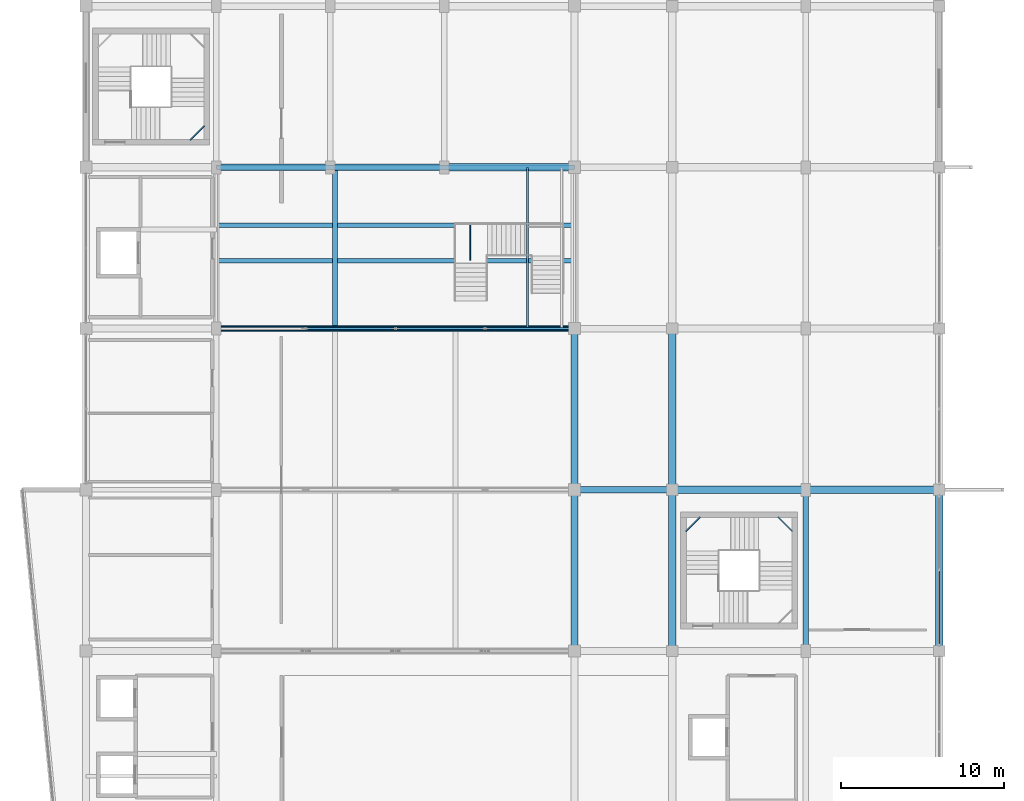
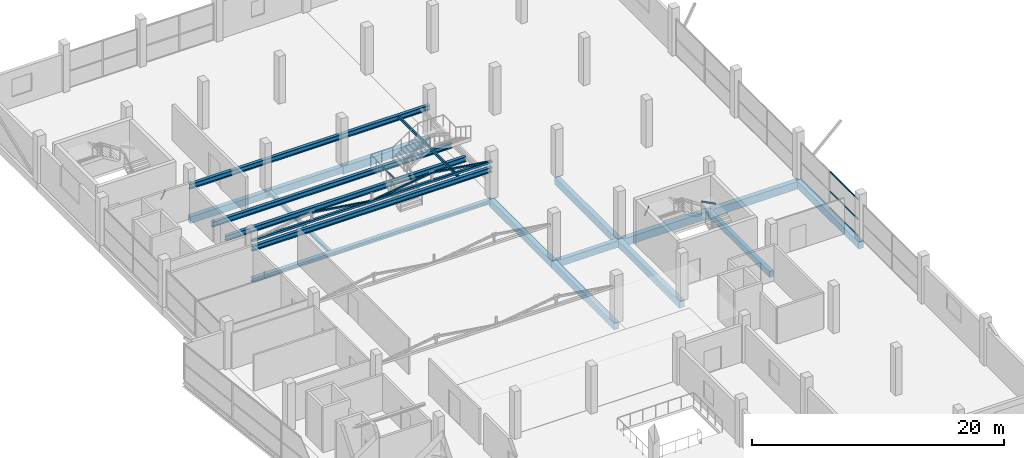
# One storey, part 20 of 49: 23 beams, 7 members, 1 element without a shape of its own.
"""IFC4 building model written with IfcOpenShell, lengths in metres."""

from ifc_helpers import new_model, si_unit, direction, frame, origin, origin_2d, place, context, subcontext, project, spatial, rectangle, hollow_rectangle, i_section, extrude, material, layer, layer_set, material_profile, profile_set, type_object, element, aggregate, save


model = new_model("IFC4")

# Units and contexts
model_context = context("Model", 3, precision=1e-05, world=origin(), true_north=direction((0.0, 1.0)))
body_context = subcontext(model_context, "Body", "Model", "MODEL_VIEW")
ifc_project = project(units=[si_unit("LENGTHUNIT", "METRE"), si_unit("AREAUNIT", "SQUARE_METRE"), si_unit("VOLUMEUNIT", "CUBIC_METRE"), si_unit("PLANEANGLEUNIT", "RADIAN"), si_unit("MASSUNIT", "GRAM", prefix="KILO")], contexts=[model_context])

# Site, building, storey
site_placement = place(None, origin())
site = spatial("IfcSite", under=ifc_project, at=site_placement, CompositionType="ELEMENT")
building_placement = place(site_placement, origin())
building = spatial("IfcBuilding", under=site, at=building_placement, Name="Sillaruma Civic Art Gallery", CompositionType="ELEMENT")
storey_placement = place(building_placement, frame((0.0, 0.0, 33.14990234375)))
storey = spatial("IfcBuildingStorey", under=building, at=storey_placement, Name="L06", CompositionType="ELEMENT", Elevation=33.14990234375)

# Beams
ifc_material_1 = material(Name="Concrete H35 (35 MPa)", Category="concrete")
ifc_material_profile_1 = material_profile(ifc_material_1, rectangle(XDim=0.35009765625, YDim=0.60009765625, at=origin_2d()), Name="RCB350x600")
ifc_profile_set_1 = profile_set([ifc_material_profile_1], Name="Concrete H35 (35 MPa)")
beam_type_1 = type_object("IfcBeamType", Name="BM-BEAM-RCB350x600", PredefinedType="BEAM", material=ifc_profile_set_1)
beam_1_placement = place(storey_placement, frame((106.199951171875, 49.5, -0.539794921875), z_axis=(0.0, 1.0, 0.0), x_axis=(-1.0, 0.0, 0.0)))
element("IfcBeam", 1, at=beam_1_placement, inside=storey, type_object=beam_type_1, Name="Beam BM-06 (L05:M:6-7)", PredefinedType="BEAM", context=body_context, shape_type="SweptSolid", body=[
    extrude(rectangle(XDim=0.35009765625, YDim=0.60009765625, at=origin_2d()), origin(), (0.0, 0.0, 1.0), 9.89990234375),
])
ifc_material_profile_2 = material_profile(ifc_material_1, rectangle(XDim=0.39990234375, YDim=0.64990234375, at=origin_2d()), Name="RCB400x650")
ifc_profile_set_2 = profile_set([ifc_material_profile_2], Name="Concrete H35 (35 MPa)")
beam_type_2 = type_object("IfcBeamType", Name="BM-BEAM-RCB400x650", PredefinedType="BEAM", material=ifc_profile_set_2)
beam_2_placement = place(storey_placement, frame((92.0, 59.39990234375, -0.56494140625), z_axis=(1.0, 0.0, 0.0), x_axis=(0.0, 1.0, 0.0)))
element("IfcBeam", 2, at=beam_2_placement, inside=storey, type_object=beam_type_2, Name="Beam BM-05 (L05:7:K-L)", PredefinedType="BEAM", context=body_context, shape_type="SweptSolid", body=[
    extrude(rectangle(XDim=0.39990234375, YDim=0.64990234375, at=origin_2d()), origin(), (0.0, 0.0, 1.0), 6.0),
])
for number, where, z_axis, x_axis, name in (
    (3, (70.0, 79.199951171875, -0.56494140625), (1.0, 0.0, 0.0), (0.0, 1.0, 0.0), "Beam BM-05 (L05:9:G-H)"),
    (4, (77.0, 79.199951171875, -0.56494140625), (1.0, 0.0, 0.0), (0.0, 1.0, 0.0), "Beam BM-05 (L05:9:H-J)"),
):
    element("IfcBeam", number, at=place(storey_placement, frame(where, z_axis=z_axis, x_axis=x_axis)), inside=storey, type_object=beam_type_2, Name=name, PredefinedType="BEAM", context=body_context, shape_type="SweptSolid", body=[
        extrude(rectangle(XDim=0.39990234375, YDim=0.64990234375, at=origin_2d()), origin(), (0.0, 0.0, 1.0), 7.0),
    ])
ifc_material_2 = material(Name="Concrete H40 (40 MPa)", Category="concrete")
ifc_material_profile_3 = material_profile(ifc_material_2, rectangle(XDim=0.449951171875, YDim=0.75, at=origin_2d()), Name="RCB450x750")
ifc_profile_set_3 = profile_set([ifc_material_profile_3], Name="Concrete H40 (40 MPa)")
beam_type_3 = type_object("IfcBeamType", Name="BM-BEAM-RCB450x750", PredefinedType="BEAM", material=ifc_profile_set_3)
for number, where, z_axis, x_axis, name in (
    (5, (98.0, 59.39990234375, -0.614990234375), (1.0, 0.0, 0.0), (0.0, 1.0, 0.0), "Beam BM-03 (L05:7:L-M)"),
    (6, (106.199951171875, 59.39990234375, -0.614990234375), (1.0, 0.0, 0.0), (0.0, 1.0, 0.0), "Beam BM-03 (L05:7:M-N)"),
):
    element("IfcBeam", number, at=place(storey_placement, frame(where, z_axis=z_axis, x_axis=x_axis)), inside=storey, type_object=beam_type_3, Name=name, PredefinedType="BEAM", context=body_context, shape_type="SweptSolid", body=[
        extrude(rectangle(XDim=0.449951171875, YDim=0.75, at=origin_2d()), origin(), (0.0, 0.0, 1.0), 8.199951171875),
    ])
beam_3_placement = place(storey_placement, frame((84.0, 79.199951171875, -0.614990234375), z_axis=(1.0, 0.0, 0.0), x_axis=(0.0, 1.0, 0.0)))
element("IfcBeam", 7, at=beam_3_placement, inside=storey, type_object=beam_type_3, Name="Beam BM-03 (L05:9:J-K)", PredefinedType="BEAM", context=body_context, shape_type="SweptSolid", body=[
    extrude(rectangle(XDim=0.449951171875, YDim=0.75, at=origin_2d()), origin(), (0.0, 0.0, 1.0), 8.0),
])
ifc_material_3 = material(Name="Structural Steel ASTM A500 Gr.C", Category="steel")
ifc_material_profile_4 = material_profile(ifc_material_3, hollow_rectangle(XDim=0.080078125, YDim=0.159912109375, WallThickness=0.008056640625, InnerFilletRadius=0.008056640625, OuterFilletRadius=0.01611328125, at=origin_2d()), Name="HSS160x80x8")
ifc_profile_set_4 = profile_set([ifc_material_profile_4], Name="Structural Steel ASTM A500 Gr.C")
beam_type_4 = type_object("IfcBeamType", Name="BM-FS-HSS160", PredefinedType="BEAM", material=ifc_profile_set_4)
beam_4_placement = place(storey_placement, frame((85.60009765625, 73.469970703125, 1.26513671875), z_axis=(0.0, 1.0, 0.0), x_axis=(-1.0, 0.0, 0.0)))
element("IfcBeam", 8, at=beam_4_placement, inside=storey, type_object=beam_type_4, Name="Feature Stair L1 Spreader (ST-G03)", PredefinedType="BEAM", context=body_context, shape_type="SweptSolid", body=[
    extrude(hollow_rectangle(XDim=0.080078125, YDim=0.159912109375, WallThickness=0.008056640625, InnerFilletRadius=0.008056640625, OuterFilletRadius=0.01611328125, at=origin_2d()), origin(), (0.0, 0.0, 1.0), 2.179931640625),
])
ifc_material_4 = material(Name="Structural Steel ASTM A992 Gr.50", Category="steel")
ifc_material_profile_5 = material_profile(ifc_material_4, i_section(OverallWidth=0.305908203125, OverallDepth=0.31103515625, WebThickness=0.010986328125, FlangeThickness=0.01708984375, FilletRadius=0.014892578125, at=origin_2d()), Name="W310x107")
ifc_profile_set_5 = profile_set([ifc_material_profile_5], Name="Structural Steel ASTM A992 Gr.50")
beam_type_5 = type_object("IfcBeamType", Name="BM-JOIST-W310x107", PredefinedType="JOIST", material=ifc_profile_set_5)
beam_5_placement = place(storey_placement, frame((77.300048828125, 69.485595703125, -0.3955078125), z_axis=(0.0, 1.0, 0.0), x_axis=(-1.0, 0.0, 0.0)))
element("IfcBeam", 9, at=beam_5_placement, inside=storey, type_object=beam_type_5, Name="Long-Span Gallery Joist JS-03 (L05:8-9)", PredefinedType="JOIST", context=body_context, shape_type="SweptSolid", body=[
    extrude(i_section(OverallWidth=0.305908203125, OverallDepth=0.31103515625, WebThickness=0.010986328125, FlangeThickness=0.01708984375, FilletRadius=0.014892578125, at=origin_2d()), origin(), (0.0, 0.0, 1.0), 9.514404296875),
])
ifc_material_profile_6 = material_profile(ifc_material_3, hollow_rectangle(XDim=0.080078125, YDim=0.159912109375, WallThickness=0.008056640625, InnerFilletRadius=0.008056640625, OuterFilletRadius=0.01611328125, at=origin_2d()), Name="HSS160x80x8")
ifc_profile_set_6 = profile_set([ifc_material_profile_6], Name="Structural Steel ASTM A500 Gr.C")
beam_type_6 = type_object("IfcBeamType", Name="BM-LND-HSS160", PredefinedType="BEAM", material=ifc_profile_set_6)
beam_6_placement = place(storey_placement, frame((68.389892578125, 80.8701171875, 0.91015625), z_axis=(0.707203758046, 0.707009791025, 0.0), x_axis=(-0.707009791025, 0.707203758046, 0.0)))
element("IfcBeam", 10, at=beam_6_placement, inside=storey, type_object=beam_type_6, Name="Stair Corner Landing Trimmer Beam (ST-02-L06-1)", PredefinedType="BEAM", context=body_context, shape_type="SweptSolid", body=[
    extrude(hollow_rectangle(XDim=0.080078125, YDim=0.159912109375, WallThickness=0.008056640625, InnerFilletRadius=0.008056640625, OuterFilletRadius=0.01611328125, at=origin_2d()), origin(), (0.0, 0.0, 1.0), 1.2587890625),
])
for number, where, z_axis, x_axis, name in (
    (11, (104.489990234375, 57.72998046875, 2.10009765625), (0.707106781187, -0.707106781187, 0.0), (0.707106781187, 0.707106781187, 0.0), "Stair Corner Landing Trimmer Beam (ST-04-L06-2)"),
    (12, (98.820068359375, 56.840087890625, 3.2900390625), (0.707106781187, 0.707106781187, 0.0), (-0.707106781187, 0.707106781187, 0.0), "Stair Corner Landing Trimmer Beam (ST-04-L06-3)"),
):
    element("IfcBeam", number, at=place(storey_placement, frame(where, z_axis=z_axis, x_axis=x_axis)), inside=storey, type_object=beam_type_6, Name=name, PredefinedType="BEAM", context=body_context, shape_type="SweptSolid", body=[
        extrude(hollow_rectangle(XDim=0.080078125, YDim=0.159912109375, WallThickness=0.008056640625, InnerFilletRadius=0.008056640625, OuterFilletRadius=0.01611328125, at=origin_2d()), origin(), (0.0, 0.0, 1.0), 1.258544921875),
    ])
ifc_material_profile_7 = material_profile(ifc_material_3, hollow_rectangle(XDim=0.14990234375, YDim=0.25, WallThickness=0.010009765625, InnerFilletRadius=0.010009765625, OuterFilletRadius=0.02001953125, at=origin_2d()), Name="HSS250x150x10")
ifc_profile_set_7 = profile_set([ifc_material_profile_7], Name="Structural Steel ASTM A500 Gr.C")
beam_type_7 = type_object("IfcBeamType", Name="BM-LND-HSS200", PredefinedType="BEAM", material=ifc_profile_set_7)
beam_7_placement = place(storey_placement, frame((89.110107421875, 69.300048828125, 2.75), z_axis=(0.0, 1.0, 0.0), x_axis=(-1.0, 0.0, 0.0)))
element("IfcBeam", 13, at=beam_7_placement, inside=storey, type_object=beam_type_7, Name="Feature Stair L2 Girder (ST-G03-1)", PredefinedType="BEAM", context=body_context, shape_type="SweptSolid", body=[
    extrude(hollow_rectangle(XDim=0.14990234375, YDim=0.25, WallThickness=0.010009765625, InnerFilletRadius=0.010009765625, OuterFilletRadius=0.02001953125, at=origin_2d()), origin(), (0.0, 0.0, 1.0), 9.89990234375),
])
ifc_material_profile_8 = material_profile(ifc_material_4, i_section(OverallWidth=0.282958984375, OverallDepth=0.489013671875, WebThickness=0.01708984375, FlangeThickness=0.030517578125, FilletRadius=0.014892578125, at=origin_2d()), Name="W460x193")
ifc_profile_set_8 = profile_set([ifc_material_profile_8], Name="Structural Steel ASTM A992 Gr.50")
beam_type_8 = type_object("IfcBeamType", Name="BM-LND-W460", PredefinedType="BEAM", material=ifc_profile_set_8)
for number, where, z_axis, x_axis, name in (
    (14, (70.0, 73.469970703125, 1.1005859375), (1.0, 0.0, 0.0), (0.0, 1.0, 0.0), "Feature Stair L1 Girder (ST-G03-1)"),
    (15, (70.0, 75.64990234375, 1.1005859375), (1.0, 0.0, 0.0), (0.0, 1.0, 0.0), "Feature Stair L1 Girder (ST-G03-2)"),
    (16, (70.0, 69.300048828125, 2.630615234375), (1.0, 0.0, 0.0), (0.0, 1.0, 0.0), "Feature Stair L2 Rail (ST-G03-S)"),
    (17, (70.0, 79.199951171875, 2.630615234375), (1.0, 0.0, 0.0), (0.0, 1.0, 0.0), "Feature Stair L2 Rail (ST-G03-N)"),
):
    element("IfcBeam", number, at=place(storey_placement, frame(where, z_axis=z_axis, x_axis=x_axis)), inside=storey, type_object=beam_type_8, Name=name, PredefinedType="BEAM", context=body_context, shape_type="SweptSolid", body=[
        extrude(i_section(OverallWidth=0.282958984375, OverallDepth=0.489013671875, WebThickness=0.01708984375, FlangeThickness=0.030517578125, FilletRadius=0.014892578125, at=origin_2d()), origin(), (0.0, 0.0, 1.0), 22.0),
    ])
ifc_material_profile_9 = material_profile(ifc_material_1, rectangle(XDim=0.449951171875, YDim=0.699951171875, at=origin_2d()), Name="RCB450x700")
ifc_profile_set_9 = profile_set([ifc_material_profile_9], Name="Concrete H35 (35 MPa)")
beam_type_9 = type_object("IfcBeamType", Name="BM-SPANDREL-RCB450x700", PredefinedType="SPANDREL", material=ifc_profile_set_9)
beam_8_placement = place(storey_placement, frame((92.0, 49.5, -0.58984375), z_axis=(0.0, 1.0, 0.0), x_axis=(-1.0, 0.0, 0.0)))
element("IfcBeam", 18, at=beam_8_placement, inside=storey, type_object=beam_type_9, Name="Beam BS-03 (L05:K:6-7)", PredefinedType="SPANDREL", context=body_context, shape_type="SweptSolid", body=[
    extrude(rectangle(XDim=0.449951171875, YDim=0.699951171875, at=origin_2d()), origin(), (0.0, 0.0, 1.0), 9.89990234375),
])
beam_9_placement = place(storey_placement, frame((92.0, 59.39990234375, -0.58984375), z_axis=(0.0, 1.0, 0.0), x_axis=(-1.0, 0.0, 0.0)))
element("IfcBeam", 19, at=beam_9_placement, inside=storey, type_object=beam_type_9, Name="Beam BS-03 (L05:K:7-8)", PredefinedType="SPANDREL", context=body_context, shape_type="SweptSolid", body=[
    extrude(rectangle(XDim=0.449951171875, YDim=0.699951171875, at=origin_2d()), origin(), (0.0, 0.0, 1.0), 9.900146484375),
])
beam_10_placement = place(storey_placement, frame((98.0, 49.5, -0.58984375), z_axis=(0.0, 1.0, 0.0), x_axis=(-1.0, 0.0, 0.0)))
element("IfcBeam", 20, at=beam_10_placement, inside=storey, type_object=beam_type_9, Name="Beam BS-03 (L05:L:6-7)", PredefinedType="SPANDREL", context=body_context, shape_type="SweptSolid", body=[
    extrude(rectangle(XDim=0.449951171875, YDim=0.699951171875, at=origin_2d()), origin(), (0.0, 0.0, 1.0), 9.89990234375),
])
beam_11_placement = place(storey_placement, frame((98.0, 59.39990234375, -0.58984375), z_axis=(0.0, 1.0, 0.0), x_axis=(-1.0, 0.0, 0.0)))
element("IfcBeam", 21, at=beam_11_placement, inside=storey, type_object=beam_type_9, Name="Beam BS-03 (L05:L:7-8)", PredefinedType="SPANDREL", context=body_context, shape_type="SweptSolid", body=[
    extrude(rectangle(XDim=0.449951171875, YDim=0.699951171875, at=origin_2d()), origin(), (0.0, 0.0, 1.0), 9.900146484375),
])
beam_12_placement = place(storey_placement, frame((114.39990234375, 49.5, -0.58984375), z_axis=(0.0, 1.0, 0.0), x_axis=(-1.0, 0.0, 0.0)))
element("IfcBeam", 22, at=beam_12_placement, inside=storey, type_object=beam_type_9, Name="Beam BS-03 (L05:N:6-7)", PredefinedType="SPANDREL", context=body_context, shape_type="SweptSolid", body=[
    extrude(rectangle(XDim=0.449951171875, YDim=0.699951171875, at=origin_2d()), origin(), (0.0, 0.0, 1.0), 9.89990234375),
])
ifc_material_profile_10 = material_profile(ifc_material_4, i_section(OverallWidth=0.37109375, OverallDepth=0.364013671875, WebThickness=0.01318359375, FlangeThickness=0.021728515625, FilletRadius=0.014892578125, at=origin_2d()), Name="W360x162")
ifc_profile_set_10 = profile_set([ifc_material_profile_10], Name="Structural Steel ASTM A992 Gr.50")
beam_type_10 = type_object("IfcBeamType", Name="BM-TRTOP-W360x162", PredefinedType="BEAM", material=ifc_profile_set_10)
beam_13_placement = place(storey_placement, frame((70.0, 69.300048828125, -0.421875), z_axis=(1.0, 0.0, 0.0), x_axis=(0.0, 1.0, 0.0)))
element("IfcBeam", 23, at=beam_13_placement, inside=storey, type_object=beam_type_10, Name="Warren Truss Top Chord TR-L05-3", PredefinedType="BEAM", context=body_context, shape_type="SweptSolid", body=[
    extrude(i_section(OverallWidth=0.37109375, OverallDepth=0.364013671875, WebThickness=0.01318359375, FlangeThickness=0.021728515625, FilletRadius=0.014892578125, at=origin_2d()), origin(), (0.0, 0.0, 1.0), 22.0),
])

# Members
ifc_material_profile_11 = material_profile(ifc_material_3, hollow_rectangle(XDim=0.14990234375, YDim=0.14990234375, WallThickness=0.010009765625, InnerFilletRadius=0.010009765625, OuterFilletRadius=0.02001953125, at=origin_2d()), Name="HSS150x150x10")
ifc_profile_set_11 = profile_set([ifc_material_profile_11], Name="Structural Steel ASTM A500 Gr.C")
member_type_1 = type_object("IfcMemberType", Name="MEM-BRACE-HSS150x150x10", PredefinedType="BRACE", material=ifc_profile_set_11)
for number, where, z_axis, x_axis, name in (
    (24, (75.5, 69.300048828125, 4.168212890625), (0.989377720719, 0.0, -0.145367553959), (0.0, 1.0, 0.0), "Warren Truss Diagonal TR-L06-3-D2"),
    (25, (81.0, 69.300048828125, 3.360107421875), (0.989377720719, 0.0, 0.145367553959), (0.0, 1.0, 0.0), "Warren Truss Diagonal TR-L06-3-D3"),
    (26, (86.5, 69.300048828125, 4.168212890625), (0.989377720719, 0.0, -0.145367553959), (0.0, 1.0, 0.0), "Warren Truss Diagonal TR-L06-3-D4"),
):
    element("IfcMember", number, at=place(storey_placement, frame(where, z_axis=z_axis, x_axis=x_axis)), inside=storey, type_object=member_type_1, Name=name, PredefinedType="BRACE", context=body_context, shape_type="SweptSolid", body=[
        extrude(hollow_rectangle(XDim=0.14990234375, YDim=0.14990234375, WallThickness=0.010009765625, InnerFilletRadius=0.010009765625, OuterFilletRadius=0.02001953125, at=origin_2d()), origin(), (0.0, 0.0, 1.0), 5.55908203125),
    ])
ifc_material_profile_12 = material_profile(ifc_material_3, hollow_rectangle(XDim=0.219970703125, YDim=0.219970703125, WallThickness=0.012451171875, InnerFilletRadius=0.012451171875, OuterFilletRadius=0.02490234375, at=origin_2d()), Name="HSS220x220x12.5")
ifc_profile_set_12 = profile_set([ifc_material_profile_12], Name="Structural Steel ASTM A500 Gr.C")
member_type_2 = type_object("IfcMemberType", Name="MEM-CHORD-HSS220x220x12.5", PredefinedType="CHORD", material=ifc_profile_set_12)
member_1_placement = place(storey_placement, frame((70.0, 69.300048828125, 3.360107421875), z_axis=(1.0, 0.0, 0.0), x_axis=(0.0, 1.0, 0.0)))
element("IfcMember", 27, at=member_1_placement, inside=storey, type_object=member_type_2, Name="Warren Truss Bottom Chord TR-L06-3", PredefinedType="CHORD", context=body_context, shape_type="SweptSolid", body=[
    extrude(hollow_rectangle(XDim=0.219970703125, YDim=0.219970703125, WallThickness=0.012451171875, InnerFilletRadius=0.012451171875, OuterFilletRadius=0.02490234375, at=origin_2d()), origin(), (0.0, 0.0, 1.0), 22.0),
])

# Curtain wall, members
ifc_material_5 = material(Name="Thermally Broken Extruded Aluminium 6063-T6", Category="aluminium")
ifc_layer = layer(ifc_material_5, 0.179931640625, Name="Thermally Broken Extruded Aluminium 6063-T6")
ifc_layer_set = layer_set([ifc_layer], Name="Thermally Broken Extruded Aluminium 6063-T6")
curtain_wall_type = type_object("IfcCurtainWallType", Name="CW-UNI-34", PredefinedType="NOTDEFINED", material=ifc_layer_set)
curtain_wall_placement = place(storey_placement, origin())
curtain_wall = element("IfcCurtainWall", 28, at=curtain_wall_placement, inside=storey, type_object=curtain_wall_type, Name="Unitised Curtain Wall CW-34 (CW-L06-E-4)", PredefinedType="NOTDEFINED")
ifc_material_profile_13 = material_profile(ifc_material_5, hollow_rectangle(XDim=0.06494140625, YDim=0.1201171875, WallThickness=0.00341796875, at=origin_2d()), Name="CWT65x120")
ifc_profile_set_13 = profile_set([ifc_material_profile_13], Name="Thermally Broken Extruded Aluminium 6063-T6")
member_type_3 = type_object("IfcMemberType", Name="MEM-TRN-CWT65x120", PredefinedType="USERDEFINED", material=ifc_profile_set_13)
member_2_placement = place(storey_placement, frame((114.39990234375, 49.919921875, 0.03271484375), z_axis=(0.0, 1.0, 0.0), x_axis=(-1.0, 0.0, 0.0)))
member_2 = element("IfcMember", 29, at=member_2_placement, type_object=member_type_3, Name="CW-34 transom 1.1", ObjectType="TRANSOM", PredefinedType="USERDEFINED", context=body_context, shape_type="SweptSolid", body=[
    extrude(hollow_rectangle(XDim=0.06494140625, YDim=0.1201171875, WallThickness=0.00341796875, at=origin_2d()), origin(), (0.0, 0.0, 1.0), 4.4951171875),
])
member_3_placement = place(storey_placement, frame((114.39990234375, 49.919921875, 1.642333984375), z_axis=(0.0, 1.0, 0.0), x_axis=(-1.0, 0.0, 0.0)))
member_3 = element("IfcMember", 30, at=member_3_placement, type_object=member_type_3, Name="CW-34 transom 1.2", ObjectType="TRANSOM", PredefinedType="USERDEFINED", context=body_context, shape_type="SweptSolid", body=[
    extrude(hollow_rectangle(XDim=0.06494140625, YDim=0.1201171875, WallThickness=0.00341796875, at=origin_2d()), origin(), (0.0, 0.0, 1.0), 4.4951171875),
])
member_4_placement = place(storey_placement, frame((114.39990234375, 49.919921875, 3.53759765625), z_axis=(0.0, 1.0, 0.0), x_axis=(-1.0, 0.0, 0.0)))
member_4 = element("IfcMember", 31, at=member_4_placement, type_object=member_type_3, Name="CW-34 transom 1.3", ObjectType="TRANSOM", PredefinedType="USERDEFINED", context=body_context, shape_type="SweptSolid", body=[
    extrude(hollow_rectangle(XDim=0.06494140625, YDim=0.1201171875, WallThickness=0.00341796875, at=origin_2d()), origin(), (0.0, 0.0, 1.0), 4.4951171875),
])
aggregate(curtain_wall, [member_2, member_3, member_4])

save(model, "model.ifc")
